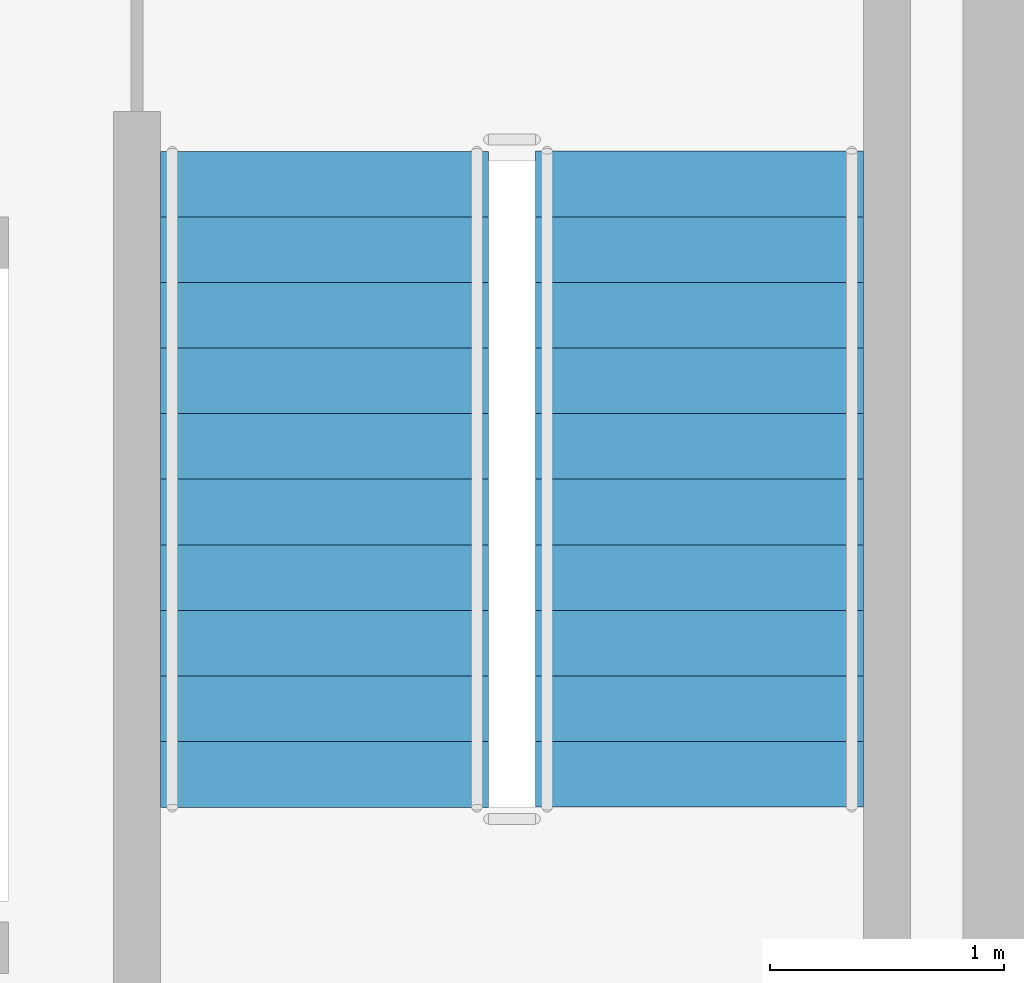
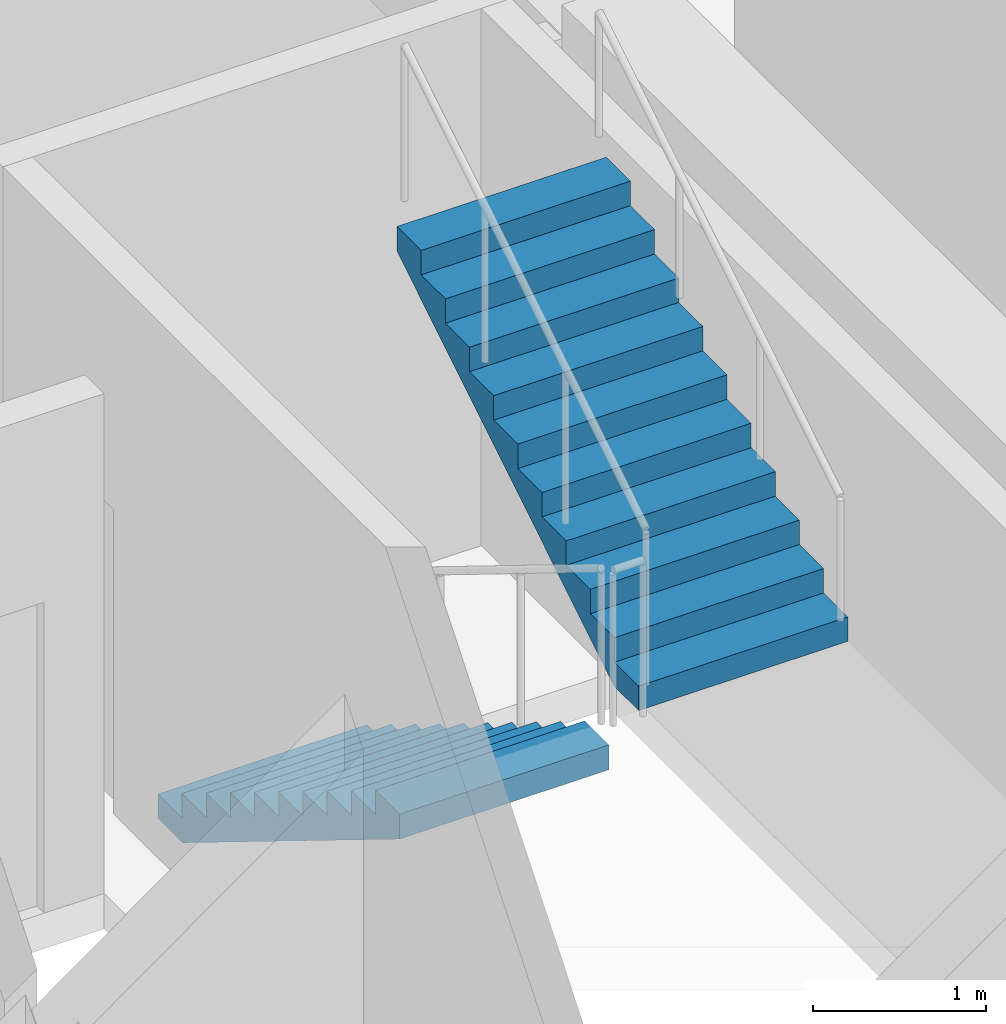
# One storey, part 25 of 27: 2 stair flights, 1 element without a shape of its own.
"""IFC4 building model written with IfcOpenShell, lengths in metres."""

from ifc_helpers import new_model, si_unit, direction, frame, origin, place, context, subcontext, project, spatial, polyline, outline, extrude, source, transform, mapped, material, type_object, element, aggregate, save


model = new_model("IFC4")

# Units and contexts
model_context = context("Model", 3, precision=1e-05, world=origin(), true_north=direction((0.0, 1.0)))
body_context = subcontext(model_context, "Body", "Model", "MODEL_VIEW")
ifc_project = project(units=[si_unit("LENGTHUNIT", "METRE"), si_unit("AREAUNIT", "SQUARE_METRE"), si_unit("VOLUMEUNIT", "CUBIC_METRE"), si_unit("PLANEANGLEUNIT", "RADIAN"), si_unit("MASSUNIT", "GRAM", prefix="KILO")], contexts=[model_context])

# Site, building, storey
site_placement = place(None, origin())
site = spatial("IfcSite", under=ifc_project, at=site_placement, CompositionType="ELEMENT")
building_placement = place(site_placement, origin())
building = spatial("IfcBuilding", under=site, at=building_placement, Name="Nefas-Gora Pilgrimage Tower", CompositionType="ELEMENT")
storey_placement = place(building_placement, frame((0.0, 0.0, 48.199951171875)))
storey = spatial("IfcBuildingStorey", under=building, at=storey_placement, Name="L10", CompositionType="ELEMENT", Elevation=48.199951171875)

# Stair, stair flights
ifc_material = material(Name="Concrete C45/55", Category="concrete")
stair_type = type_object("IfcStairType", Name="STR-1400-R1727", PredefinedType="HALF_TURN_STAIR", material=ifc_material)
stair_placement = place(storey_placement, origin())
stair = element("IfcStair", 1, at=stair_placement, inside=storey, type_object=stair_type, Name="L10 Pressurised Tower Exit Stair ST-02", PredefinedType="HALF_TURN_STAIR")
stair_flight_type = type_object("IfcStairFlightType", Name="STF-1400-R1727", PredefinedType="STRAIGHT", material=ifc_material)
shared_shape = source(origin(), body_context, "Body", "SweptSolid", [
    extrude(outline(polyline([(0.0, 0.0), (0.0, 0.172607421875), (0.280029296875, 0.172607421875), (0.280029296875, 0.345458984375), (0.56005859375, 0.345458984375), (0.56005859375, 0.51806640625), (0.840087890625, 0.51806640625), (0.840087890625, 0.69091796875), (1.1201171875, 0.69091796875), (1.1201171875, 0.863525390625), (1.39990234375, 0.863525390625), (1.39990234375, 1.036376953125), (1.679931640625, 1.036376953125), (1.679931640625, 1.208984375), (1.9599609375, 1.208984375), (1.9599609375, 1.3818359375), (2.239990234375, 1.3818359375), (2.239990234375, 1.554443359375), (2.52001953125, 1.554443359375), (2.52001953125, 1.727294921875), (2.800048828125, 1.727294921875), (2.800048828125, 1.89990234375), (2.800048828125, 1.551025390625), (0.285400390625, 0.0), (0.0, 0.0)])), frame((0.0, 0.699951171875, 0.0), z_axis=(0.0, -1.0, 0.0), x_axis=(1.0, 0.0, 0.0)), (0.0, 0.0, 1.0), 1.39990234375),
])
stair_flight_1_placement = place(storey_placement, frame((8.199951171875, -2.60009765625, 0.0), z_axis=(0.0, 0.0, 1.0), x_axis=(0.0, -1.0, 0.0)))
stair_flight_1 = element("IfcStairFlight", 2, at=stair_flight_1_placement, type_object=stair_flight_type, Name="ST-02 flight 1", NumberOfRisers=11, NumberOfTreads=10, PredefinedType="STRAIGHT", RiserHeight=0.172727273, TreadLength=0.28, context=body_context, shape_type="MappedRepresentation", body=[
    mapped(shared_shape, transform((0.0, 0.0, 0.0), x_axis=(1.0, 0.0, 0.0), y_axis=(0.0, 1.0, 0.0), z_axis=(0.0, 0.0, 1.0), scale=1.0)),
])
stair_flight_2_placement = place(storey_placement, frame((9.800048828125, -5.39990234375, 1.900146484375), z_axis=(0.0, 0.0, 1.0), x_axis=(0.0, 1.0, 0.0)))
stair_flight_2 = element("IfcStairFlight", 3, at=stair_flight_2_placement, type_object=stair_flight_type, Name="ST-02 flight 2", NumberOfRisers=11, NumberOfTreads=10, PredefinedType="STRAIGHT", RiserHeight=0.172727273, TreadLength=0.28, context=body_context, shape_type="MappedRepresentation", body=[
    mapped(shared_shape, transform((0.0, 0.0, 0.0), x_axis=(1.0, 0.0, 0.0), y_axis=(0.0, 1.0, 0.0), z_axis=(0.0, 0.0, 1.0), scale=1.0)),
])
aggregate(stair, [stair_flight_1, stair_flight_2])

save(model, "model.ifc")
